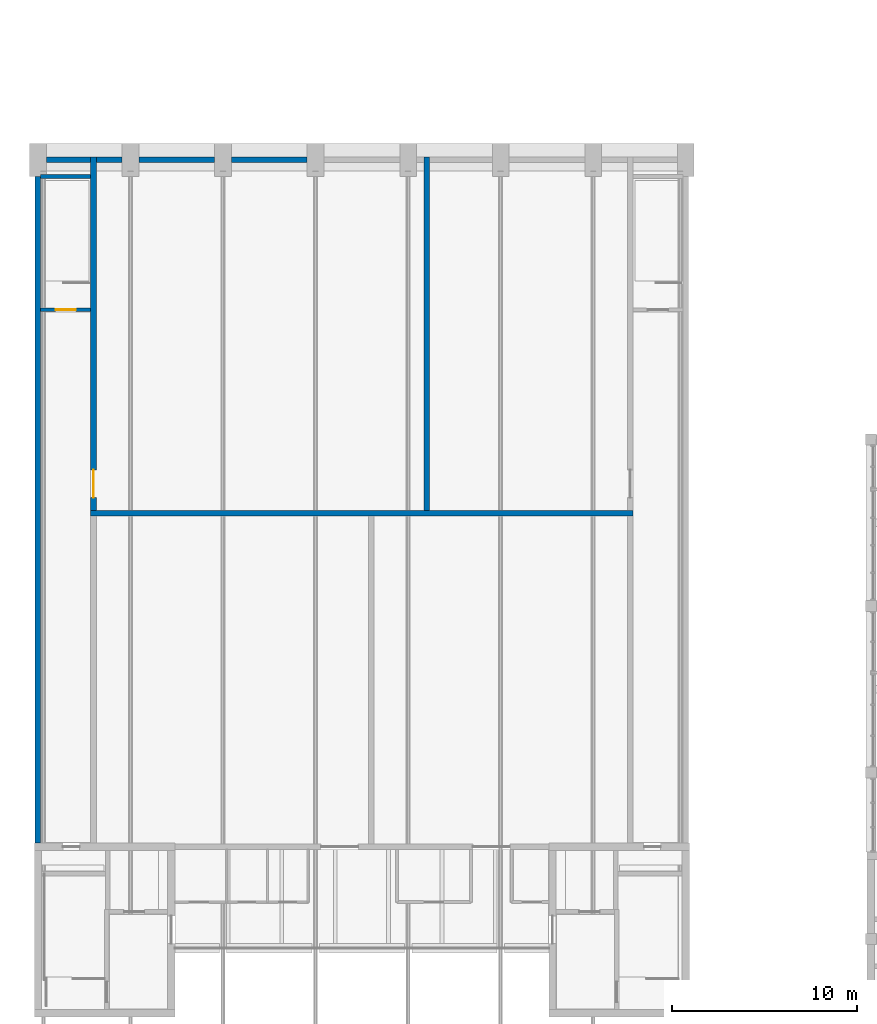
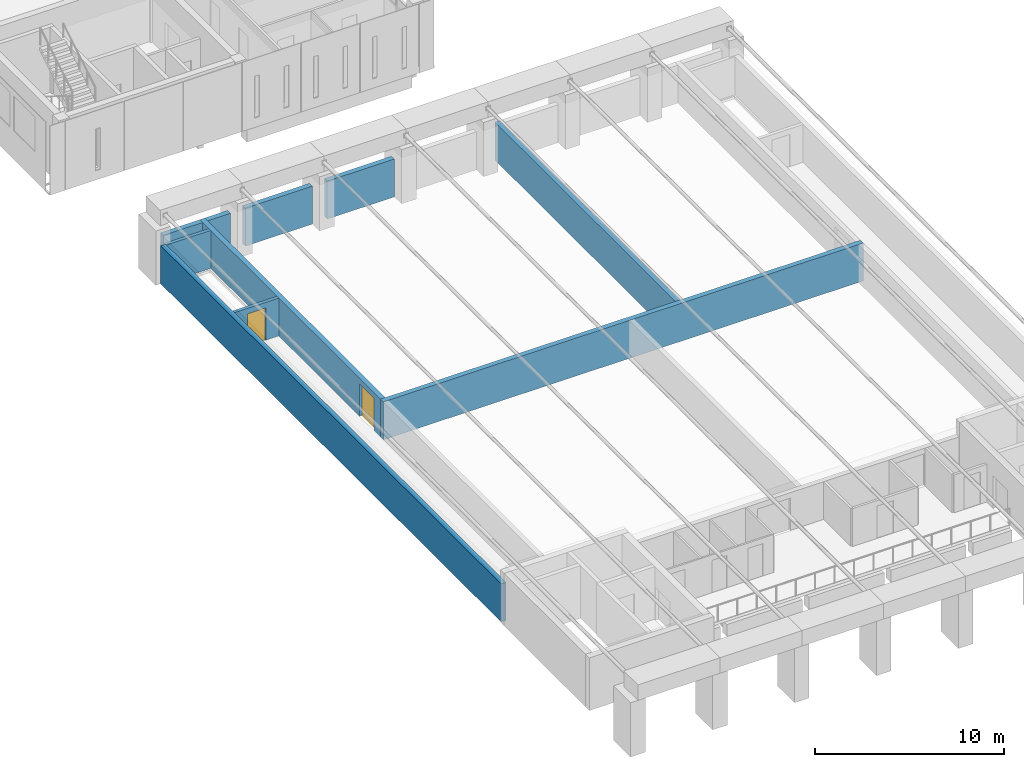
# One storey, part 49 of 92: 10 walls, 2 doors, 2 openings.
"""IFC4 building model written with IfcOpenShell, lengths in metres."""

from ifc_helpers import new_model, si_unit, direction, frame, frame_2d, origin, place, context, subcontext, project, spatial, rectangle, extrude, material, layer, layer_set, type_object, element, fill, save


model = new_model("IFC4")

# Units and contexts
model_context = context("Model", 3, precision=1e-05, world=origin(), true_north=direction((0.0, 1.0)))
body_context = subcontext(model_context, "Body", "Model", "MODEL_VIEW")
ifc_project = project(units=[si_unit("LENGTHUNIT", "METRE"), si_unit("AREAUNIT", "SQUARE_METRE"), si_unit("VOLUMEUNIT", "CUBIC_METRE"), si_unit("PLANEANGLEUNIT", "RADIAN"), si_unit("MASSUNIT", "GRAM", prefix="KILO")], contexts=[model_context])

# Site, building, storey
site_placement = place(None, origin())
site = spatial("IfcSite", under=ifc_project, at=site_placement, CompositionType="ELEMENT")
building_placement = place(site_placement, origin())
building = spatial("IfcBuilding", under=site, at=building_placement, Name="Merrow Basin Faculty of Sciences", CompositionType="ELEMENT")
storey_placement = place(building_placement, frame((0.0, 0.0, 4.5)))
storey = spatial("IfcBuildingStorey", under=building, at=storey_placement, Name="L01", CompositionType="ELEMENT", Elevation=4.5)

# Wall
ifc_material_1 = material(Name="Concrete C40/50", Category="concrete")
ifc_layer_1 = layer(ifc_material_1, 0.300048828125)
ifc_layer_set_1 = layer_set([ifc_layer_1], Name="Hall wall 300 Concrete C40/50")
wall_type_1 = type_object("IfcWallType", Name="Hall wall 300 Concrete C40/50", PredefinedType="SHEAR", material=ifc_layer_set_1)
wall_1_placement = place(storey_placement, frame((2.85009765625, 32.0, 0.0), z_axis=(0.0, 0.0, 1.0), x_axis=(1.0, 0.0, 0.0)))
element("IfcWall", 1, at=wall_1_placement, inside=storey, type_object=wall_type_1, Name="SW7 L01 018", PredefinedType="SHEAR", context=body_context, shape_type="SweptSolid", body=[
    extrude(rectangle(XDim=29.2998046875, YDim=0.300048828125, at=frame_2d((14.64990234375, 0.0))), origin(), (0.0, 0.0, 1.0), 2.449951171875),
])

# Wall, opening, door
wall_2_placement = place(storey_placement, frame((3.0, 32.14990234375, 0.0), z_axis=(0.0, 0.0, 1.0), x_axis=(0.0, 1.0, 0.0)))
wall_2 = element("IfcWall", 2, at=wall_2_placement, inside=storey, type_object=wall_type_1, Name="SW7 L01 019", PredefinedType="SHEAR", context=body_context, shape_type="SweptSolid", body=[
    extrude(rectangle(XDim=19.10009765625, YDim=0.300048828125, at=frame_2d((9.550048828125, 0.0))), origin(), (0.0, 0.0, 1.0), 2.449951171875),
])
opening_1_placement = place(wall_2_placement, frame((0.699951171875, 0.0, 0.0)))
opening_1 = element("IfcOpeningElement", 3, at=opening_1_placement, cuts=wall_2, Name="Opening D01H016", PredefinedType="OPENING", context=body_context, shape_type="SweptSolid", body=[
    extrude(rectangle(XDim=1.5, YDim=2.10009765625, at=frame_2d((0.75, 1.050048828125))), frame((0.0, 0.159912109375, 0.0), z_axis=(0.0, -1.0, 0.0), x_axis=(1.0, 0.0, 0.0)), (0.0, 0.0, 1.0), 0.320068359375),
])
ifc_material_2 = material(Name="Timber door leaf", Category="wood")
door_type_1 = type_object("IfcDoorType", Name="Double swing door 1500 x 2100", OperationType="NOTDEFINED", PredefinedType="DOOR", material=ifc_material_2)
door_1_placement = place(opening_1_placement, origin())
door_1 = element("IfcDoor", 4, at=door_1_placement, inside=storey, type_object=door_type_1, Name="Lecture Theatre 1 upper exit", OperationType="DOUBLE_DOOR_SINGLE_SWING", OverallHeight=2.10009765625, OverallWidth=1.5, PredefinedType="DOOR", context=body_context, shape_type="SweptSolid", body=[
    extrude(rectangle(XDim=1.5, YDim=2.10009765625, at=frame_2d((0.75, 1.050048828125))), frame((0.0, 0.02490234375, 0.0), z_axis=(0.0, -1.0, 0.0), x_axis=(1.0, 0.0, 0.0)), (0.0, 0.0, 1.0), 0.050048828125),
])
fill(opening_1, door_1)

# Walls
wall_3_placement = place(storey_placement, frame((21.0, 32.14990234375, 0.0), z_axis=(0.0, 0.0, 1.0), x_axis=(0.0, 1.0, 0.0)))
element("IfcWall", 5, at=wall_3_placement, inside=storey, type_object=wall_type_1, Name="SW7 L01 024", PredefinedType="SHEAR", context=body_context, shape_type="SweptSolid", body=[
    extrude(rectangle(XDim=19.10009765625, YDim=0.300048828125, at=frame_2d((9.550048828125, 0.0))), origin(), (0.0, 0.0, 1.0), 2.449951171875),
])
wall_4_placement = place(storey_placement, frame((0.0, 14.199951171875, 0.0), z_axis=(0.0, 0.0, 1.0), x_axis=(0.0, 1.0, 0.0)))
element("IfcWall", 6, at=wall_4_placement, inside=storey, type_object=wall_type_1, Name="SW7 L01 025", PredefinedType="SHEAR", context=body_context, shape_type="SweptSolid", body=[
    extrude(rectangle(XDim=36.0, YDim=0.300048828125, at=frame_2d((18.0, 0.0))), origin(), (0.0, 0.0, 1.0), 2.449951171875),
])
for number, where, z_axis, x_axis, name in (
    (7, (10.449951171875, 51.10009765625, 0.0), (0.0, 0.0, 1.0), (1.0, 0.0, 0.0), "SW7 L01 027"),
    (8, (5.449951171875, 51.10009765625, 0.0), (0.0, 0.0, 1.0), (1.0, 0.0, 0.0), "SW7 L01 030"),
):
    element("IfcWall", number, at=place(storey_placement, frame(where, z_axis=z_axis, x_axis=x_axis)), inside=storey, type_object=wall_type_1, Name=name, PredefinedType="SHEAR", context=body_context, shape_type="SweptSolid", body=[
        extrude(rectangle(XDim=4.10009765625, YDim=0.300048828125, at=frame_2d((2.050048828125, 0.0))), origin(), (0.0, 0.0, 1.0), 2.449951171875),
    ])
wall_5_placement = place(storey_placement, frame((0.449951171875, 51.10009765625, 0.0), z_axis=(0.0, 0.0, 1.0), x_axis=(1.0, 0.0, 0.0)))
element("IfcWall", 9, at=wall_5_placement, inside=storey, type_object=wall_type_1, Name="SW7 L01 032", PredefinedType="SHEAR", context=body_context, shape_type="SweptSolid", body=[
    extrude(rectangle(XDim=2.400146484375, YDim=0.300048828125, at=frame_2d((1.2001953125, 0.0))), origin(), (0.0, 0.0, 1.0), 2.449951171875),
])
wall_6_placement = place(storey_placement, frame((3.14990234375, 51.10009765625, 0.0), z_axis=(0.0, 0.0, 1.0), x_axis=(1.0, 0.0, 0.0)))
element("IfcWall", 10, at=wall_6_placement, inside=storey, type_object=wall_type_1, Name="SW7 L01 035", PredefinedType="SHEAR", context=body_context, shape_type="SweptSolid", body=[
    extrude(rectangle(XDim=1.400146484375, YDim=0.300048828125, at=frame_2d((0.7001953125, 0.0))), origin(), (0.0, 0.0, 1.0), 2.449951171875),
])

# Wall, opening, door
ifc_material_3 = material(Name="Fire-rated gypsum board")
ifc_layer_2 = layer(ifc_material_3, 0.199951171875)
ifc_layer_set_2 = layer_set([ifc_layer_2], Name="Riser lining 200 fire-rated board on steel studs")
wall_type_2 = type_object("IfcWallType", Name="Riser lining 200 fire-rated board on steel studs", PredefinedType="PARTITIONING", material=ifc_layer_set_2)
wall_7_placement = place(storey_placement, frame((0.14990234375, 43.0, 0.0), z_axis=(0.0, 0.0, 1.0), x_axis=(1.0, 0.0, 0.0)))
wall_7 = element("IfcWall", 11, at=wall_7_placement, inside=storey, type_object=wall_type_2, Name="IW200 L01 001", PredefinedType="PARTITIONING", context=body_context, shape_type="SweptSolid", body=[
    extrude(rectangle(XDim=2.7001953125, YDim=0.199951171875, at=frame_2d((1.35009765625, 0.0))), origin(), (0.0, 0.0, 1.0), 2.449951171875),
])
opening_2_placement = place(wall_7_placement, frame((0.800048828125, 0.0, 0.0)))
opening_2 = element("IfcOpeningElement", 12, at=opening_2_placement, cuts=wall_7, Name="Opening D01H007", PredefinedType="OPENING", context=body_context, shape_type="SweptSolid", body=[
    extrude(rectangle(XDim=1.10009765625, YDim=2.10009765625, at=frame_2d((0.550048828125, 1.050048828125))), frame((0.0, 0.10986328125, 0.0), z_axis=(0.0, -1.0, 0.0), x_axis=(1.0, 0.0, 0.0)), (0.0, 0.0, 1.0), 0.219970703125),
])
ifc_material_4 = material(Name="Fire-rated steel door", Category="steel")
door_type_2 = type_object("IfcDoorType", Name="Fire door FD90 1100 x 2100", OperationType="NOTDEFINED", PredefinedType="DOOR", material=ifc_material_4)
door_2_placement = place(opening_2_placement, origin())
door_2 = element("IfcDoor", 13, at=door_2_placement, inside=storey, type_object=door_type_2, Name="Corridor stair W door", OperationType="SINGLE_SWING_LEFT", OverallHeight=2.10009765625, OverallWidth=1.10009765625, PredefinedType="DOOR", context=body_context, shape_type="SweptSolid", body=[
    extrude(rectangle(XDim=1.10009765625, YDim=2.10009765625, at=frame_2d((0.550048828125, 1.050048828125))), frame((0.0, 0.02490234375, 0.0), z_axis=(0.0, -1.0, 0.0), x_axis=(1.0, 0.0, 0.0)), (0.0, 0.0, 1.0), 0.050048828125),
])
fill(opening_2, door_2)

# Wall
wall_8_placement = place(storey_placement, frame((0.14990234375, 50.199951171875, 0.0), z_axis=(0.0, 0.0, 1.0), x_axis=(1.0, 0.0, 0.0)))
element("IfcWall", 14, at=wall_8_placement, inside=storey, type_object=wall_type_2, Name="IW200 L01 012", PredefinedType="PARTITIONING", context=body_context, shape_type="SweptSolid", body=[
    extrude(rectangle(XDim=2.7001953125, YDim=0.199951171875, at=frame_2d((1.35009765625, 0.0))), origin(), (0.0, 0.0, 1.0), 2.449951171875),
])

save(model, "model.ifc")
